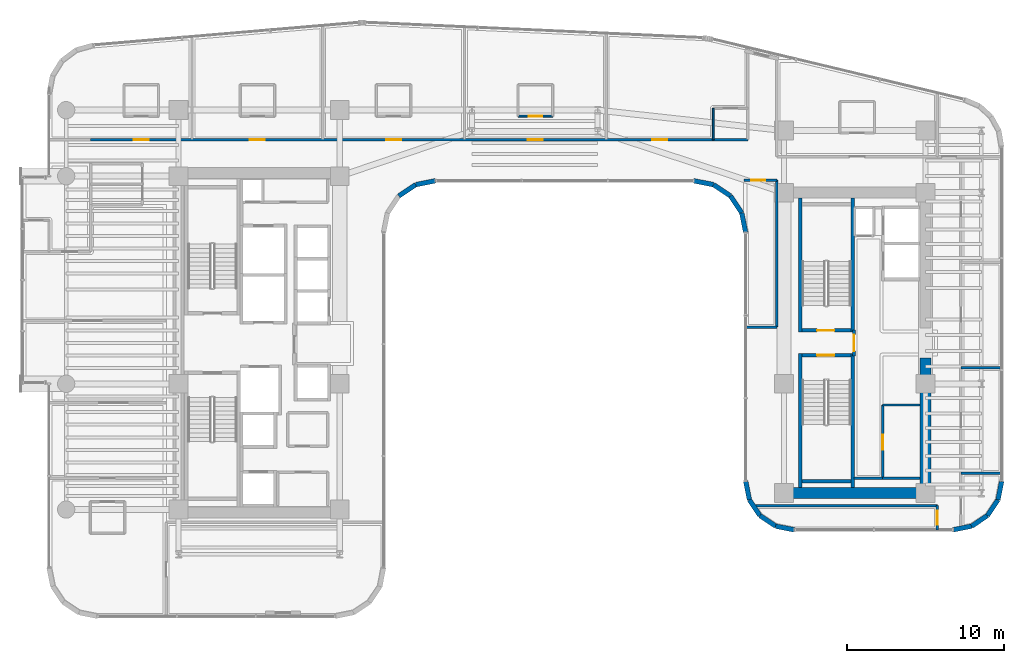
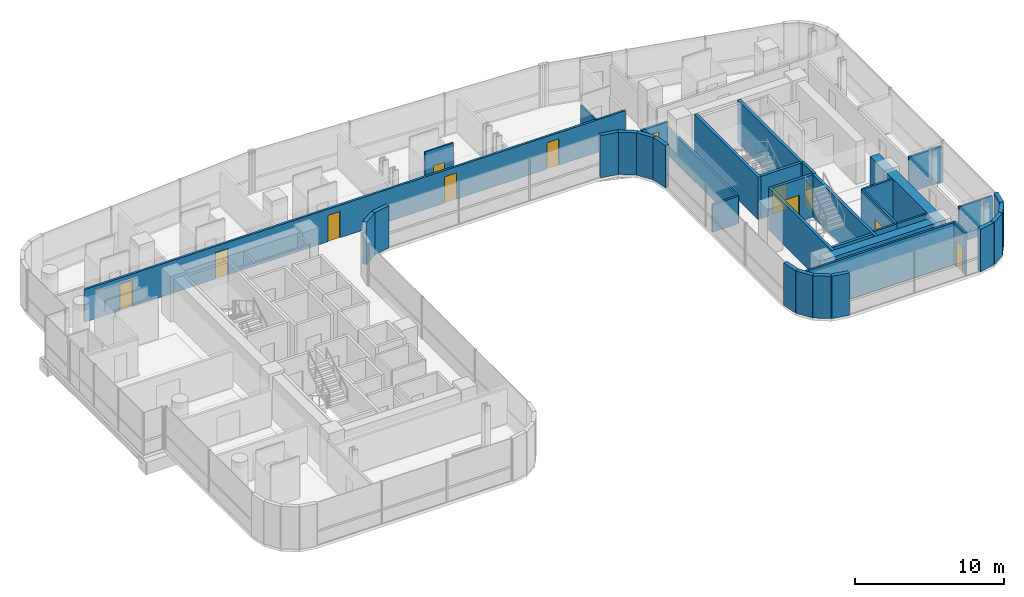
# One storey, part 28 of 35: 38 walls, 12 doors, 12 openings.
"""IFC4 building model written with IfcOpenShell, lengths in metres."""

import ifcopenshell
import ifcopenshell.guid

model = None  # the IFC model being written
_history = None  # IfcOwnerHistory: only IFC2X3 demands one
_inside = {}  # id of a spatial element -> (the spatial element, [elements in it])
_under = {}  # id of a project, library or spatial element -> (it, [spatial elements below it])
_declared = {}  # id of a project -> (the project, [libraries it declares])
_typed = {}  # id of a type object -> (the type object, [elements of that type])
_made_of = {}  # id of a material, layer set ... -> (it, [elements and type objects made of it])


def new_model(schema):
    """Start an empty IFC model of exactly this schema.

    Asked for "IFC4X3", IfcOpenShell would pick the latest addendum, in which some entities
    have other attributes; the version numbers below select the first issue.
    IFC2X3 requires an IfcOwnerHistory on every rooted entity: one is made here for all.
    """
    global model, _history
    if schema == "IFC4X3":
        model = ifcopenshell.file(schema_version=(4, 3, 0, 0))
    else:
        model = ifcopenshell.file(schema=schema)
    _inside.clear()
    _under.clear()
    _declared.clear()
    _typed.clear()
    _made_of.clear()
    _history = None
    if model.schema == "IFC2X3":
        org = make("IfcOrganization", Name="unknown")
        user = make(
            "IfcPersonAndOrganization",
            ThePerson=make("IfcPerson", FamilyName="unknown"),
            TheOrganization=org,
        )
        app = make(
            "IfcApplication",
            ApplicationDeveloper=org,
            Version="unknown",
            ApplicationFullName="unknown",
            ApplicationIdentifier="unknown",
        )
        _history = make(
            "IfcOwnerHistory",
            OwningUser=user,
            OwningApplication=app,
            ChangeAction="ADDED",
            CreationDate=0,
        )
    return model


def make(cls, **values):
    """One entity of the class cls with the attributes given. An attribute that is None is left unset."""
    return model.create_entity(
        cls, **{name: value for name, value in values.items() if value is not None}
    )


def rooted(cls, **values):
    """An entity with a GlobalId (a new one), such as an element, a storey or a relation."""
    return make(cls, GlobalId=ifcopenshell.guid.new(), OwnerHistory=_history, **values)


def si_unit(unit_type, name, prefix=None):
    """IfcSIUnit, for example si_unit("LENGTHUNIT", "METRE", prefix="MILLI")."""
    return make("IfcSIUnit", UnitType=unit_type, Prefix=prefix, Name=name)


def assignment(units):
    """IfcUnitAssignment: the units of a project."""
    return None if units is None else make("IfcUnitAssignment", Units=units)


def point(xyz):
    """IfcCartesianPoint."""
    return None if xyz is None else make("IfcCartesianPoint", Coordinates=xyz)


def direction(xyz):
    """IfcDirection."""
    return None if xyz is None else make("IfcDirection", DirectionRatios=xyz)


def frame(location, z_axis=None, x_axis=None):
    """IfcAxis2Placement3D, a coordinate frame: its origin and axes. An axis left out is left unset."""
    return make(
        "IfcAxis2Placement3D",
        Location=point(location),
        Axis=direction(z_axis),
        RefDirection=direction(x_axis),
    )


def frame_2d(location, x_axis=None):
    """IfcAxis2Placement2D, a coordinate frame in the plane: its origin and x axis."""
    return make(
        "IfcAxis2Placement2D", Location=point(location), RefDirection=direction(x_axis)
    )


def origin():
    """The frame at (0, 0, 0) with its axes left unset."""
    return frame((0.0, 0.0, 0.0))


def place(relative_to, where):
    """IfcLocalPlacement: puts the frame where relative to a parent placement (None: the world)."""
    return make(
        "IfcLocalPlacement", PlacementRelTo=relative_to, RelativePlacement=where
    )


def context(
    kind, dimensions, precision=None, world=None, true_north=None, identifier=None
):
    """IfcGeometricRepresentationContext, for example the 3D "Model" context."""
    return make(
        "IfcGeometricRepresentationContext",
        ContextIdentifier=identifier,
        ContextType=kind,
        CoordinateSpaceDimension=dimensions,
        Precision=precision,
        WorldCoordinateSystem=world,
        TrueNorth=true_north,
    )


def subcontext(parent, identifier, kind, view, scale=None):
    """IfcGeometricRepresentationSubContext, for example "Body" below "Model"."""
    return make(
        "IfcGeometricRepresentationSubContext",
        ContextIdentifier=identifier,
        ContextType=kind,
        ParentContext=parent,
        TargetScale=scale,
        TargetView=view,
    )


def project(units=None, contexts=None):
    """IfcProject with its units and contexts."""
    return rooted(
        "IfcProject",
        Name="project",
        RepresentationContexts=contexts,
        UnitsInContext=assignment(units),
    )


def spatial(cls, under=None, at=None, **own):
    """A site, building, storey or space (cls), placed at a placement, below another one or the project."""
    s = rooted(cls, ObjectPlacement=at, **own)
    if under is not None:
        _under.setdefault(under.id(), (under, []))[1].append(s)
    return s


def profile(cls, at=None, kind="AREA", **sizes):
    """A parametric profile (cls). Its sizes go by their IFC names, for example OverallWidth=200.0."""
    return make(cls, ProfileType=kind, Position=at, **sizes)


def rectangle(**sizes):
    """IfcRectangleProfileDef."""
    return profile("IfcRectangleProfileDef", **sizes)


def extrude(swept, where, along, depth):
    """IfcExtrudedAreaSolid: the profile swept, set in the frame where, extruded along a direction by depth."""
    return make(
        "IfcExtrudedAreaSolid",
        SweptArea=swept,
        Position=where,
        ExtrudedDirection=direction(along),
        Depth=depth,
    )


def shape(context_of_items, identifier, shape_type, items):
    """IfcShapeRepresentation: the items that make up one representation, for example the "Body"."""
    return make(
        "IfcShapeRepresentation",
        ContextOfItems=context_of_items,
        RepresentationIdentifier=identifier,
        RepresentationType=shape_type,
        Items=items,
    )


def material(Name=None, Category=None):
    """IfcMaterial."""
    return make("IfcMaterial", Name=Name, Category=Category)


def layer(
    of_material, thickness, ventilated=None, Name=None, Category=None, Priority=None
):
    """IfcMaterialLayer: one layer of a wall or slab, of a material (None: an air gap)."""
    return make(
        "IfcMaterialLayer",
        Material=of_material,
        LayerThickness=thickness,
        IsVentilated=ventilated,
        Name=Name,
        Category=Category,
        Priority=Priority,
    )


def layer_set(layers, Name=None):
    """IfcMaterialLayerSet."""
    return make("IfcMaterialLayerSet", MaterialLayers=layers, LayerSetName=Name)


def made_of(thing, what):
    """Note that an element or type object is made of a material, layer set ...; save() writes the relation."""
    if what is not None:
        _made_of.setdefault(what.id(), (what, []))[1].append(thing)
    return thing


def type_object(cls, material=None, **own):
    """A type object (cls), such as IfcWallType, which elements share."""
    return made_of(rooted(cls, **own), material)


def element(
    cls,
    number,
    at=None,
    inside=None,
    cuts=None,
    type_object=None,
    material=None,
    context=None,
    identifier="Body",
    shape_type=None,
    held_by="IfcProductDefinitionShape",
    body=None,
    shapes=None,
    **own,
):
    """One element of the class cls, such as IfcWall. Its Tag is "e" and its number.

    at: its placement. inside: the storey or other place that contains it. cuts: it is an
    opening in that element (IfcRelVoidsElement). A single representation is given by context,
    identifier, shape_type and body (its items); several are given by shapes. held_by: the class
    of the entity that holds the representations. save() writes the other relations.
    """
    e = rooted(cls, Tag="e%d" % number, ObjectPlacement=at, **own)
    if body is not None:
        shapes = [shape(context, identifier, shape_type, body)]
    if shapes is not None:
        e.Representation = make(held_by, Representations=shapes)
    if inside is not None:
        _inside.setdefault(inside.id(), (inside, []))[1].append(e)
    if cuts is not None:
        rooted(
            "IfcRelVoidsElement", RelatingBuildingElement=cuts, RelatedOpeningElement=e
        )
    if type_object is not None:
        _typed.setdefault(type_object.id(), (type_object, []))[1].append(e)
    return made_of(e, material)


def fill(opening, filler):
    """IfcRelFillsElement: the door or window that sits in an opening."""
    return rooted(
        "IfcRelFillsElement",
        RelatingOpeningElement=opening,
        RelatedBuildingElement=filler,
    )


def aggregate(whole, parts):
    """IfcRelAggregates: a whole, such as a stair, and the parts it consists of."""
    return rooted("IfcRelAggregates", RelatingObject=whole, RelatedObjects=parts)


def save(model, path):
    """Write the relations noted so far, then the file.

    IfcRelAggregates (storeys below a building ...), IfcRelContainedInSpatialStructure (elements
    in a storey), IfcRelDefinesByType, IfcRelAssociatesMaterial and IfcRelDeclares: one each for
    every whole, place, type object, material and project.
    """
    for whole, parts in _under.values():
        aggregate(whole, parts)
    for where, things in _inside.values():
        rooted(
            "IfcRelContainedInSpatialStructure",
            RelatedElements=things,
            RelatingStructure=where,
        )
    for kind, things in _typed.values():
        rooted("IfcRelDefinesByType", RelatedObjects=things, RelatingType=kind)
    for what, things in _made_of.values():
        rooted("IfcRelAssociatesMaterial", RelatedObjects=things, RelatingMaterial=what)
    for by, libraries in _declared.values():
        rooted("IfcRelDeclares", RelatingContext=by, RelatedDefinitions=libraries)
    model.write(path)


model = new_model("IFC4")

# Units and contexts
model_context = context("Model", 3, precision=1e-05, world=origin(), true_north=direction((0.0, 1.0)))
body_context = subcontext(model_context, "Body", "Model", "MODEL_VIEW")
ifc_project = project(units=[si_unit("LENGTHUNIT", "METRE"), si_unit("AREAUNIT", "SQUARE_METRE"), si_unit("VOLUMEUNIT", "CUBIC_METRE"), si_unit("PLANEANGLEUNIT", "RADIAN"), si_unit("MASSUNIT", "GRAM", prefix="KILO")], contexts=[model_context])

# Site, building, storey
site_placement = place(None, origin())
site = spatial("IfcSite", under=ifc_project, at=site_placement, CompositionType="ELEMENT")
building_placement = place(site_placement, origin())
building = spatial("IfcBuilding", under=site, at=building_placement, Name="Valdorenza Pilgrim Sanctuary Tower", CompositionType="ELEMENT")
storey_placement = place(building_placement, frame((0.0, 0.0, 113.10009765625)))
storey = spatial("IfcBuildingStorey", under=building, at=storey_placement, Name="L28", CompositionType="ELEMENT", Elevation=113.10009765625)

# Wall
ifc_material_1 = material(Name="Acoustic twin-stud gypsum partition", Category="gypsum")
ifc_layer_1 = layer(ifc_material_1, 0.159912109375, Name="Acoustic twin-stud gypsum partition")
ifc_layer_set_1 = layer_set([ifc_layer_1], Name="Acoustic twin-stud gypsum partition")
wall_type_1 = type_object("IfcWallType", Name="WAL-COR-160", PredefinedType="PARTITIONING", material=ifc_layer_set_1)
wall_1_placement = place(storey_placement, frame((20.300048828125, -8.60009765625, 0.0), z_axis=(0.0, 0.0, 1.0), x_axis=(1.0, 0.0, 0.0)))
element("IfcWall", 1, at=wall_1_placement, inside=storey, type_object=wall_type_1, Name="L28 Core B Lift Hall South End Wall", PredefinedType="PARTITIONING", context=body_context, shape_type="SweptSolid", body=[
    extrude(rectangle(XDim=1.820068359375, YDim=0.159912109375, at=frame_2d((0.91015625, 0.0))), origin(), (0.0, 0.0, 1.0), 3.4599609375),
])

# Wall, opening, door
wall_2_placement = place(storey_placement, frame((22.1201171875, -8.60009765625, 0.0), z_axis=(0.0, 0.0, 1.0), x_axis=(0.0, 1.0, 0.0)))
wall_2 = element("IfcWall", 2, at=wall_2_placement, inside=storey, type_object=wall_type_1, Name="L28 Core B Freed Shaft West Wall", PredefinedType="PARTITIONING", context=body_context, shape_type="SweptSolid", body=[
    extrude(rectangle(XDim=4.650146484375, YDim=0.159912109375, at=frame_2d((2.3251953125, 0.0))), origin(), (0.0, 0.0, 1.0), 3.4599609375),
])
opening_1_placement = place(wall_2_placement, frame((1.800048828125, 0.0, 0.0)))
opening_1 = element("IfcOpeningElement", 3, at=opening_1_placement, cuts=wall_2, Name="Opening DR-UN1", PredefinedType="OPENING", context=body_context, shape_type="SweptSolid", body=[
    extrude(rectangle(XDim=0.949951171875, YDim=2.14990234375, at=frame_2d((0.47509765625, 1.074951171875))), frame((0.0, 0.0947265625, 0.0), z_axis=(0.0, -1.0, 0.0), x_axis=(1.0, 0.0, 0.0)), (0.0, 0.0, 1.0), 0.189697265625),
])
ifc_material_2 = material(Name="Solid-core European oak timber", Category="wood")
door_type_1 = type_object("IfcDoorType", Name="DR-UNIT-950", OperationType="NOTDEFINED", PredefinedType="DOOR", material=ifc_material_2)
door_1_placement = place(opening_1_placement, origin())
door_1 = element("IfcDoor", 4, at=door_1_placement, inside=storey, type_object=door_type_1, Name="L28 East Core Linen Store Door", OperationType="SINGLE_SWING_LEFT", OverallHeight=2.14990234375, OverallWidth=0.949951171875, PredefinedType="DOOR", context=body_context, shape_type="SweptSolid", body=[
    extrude(rectangle(XDim=0.949951171875, YDim=2.14990234375, at=frame_2d((0.47509765625, 1.074951171875))), frame((0.0, 0.02490234375, 0.0), z_axis=(0.0, -1.0, 0.0), x_axis=(1.0, 0.0, 0.0)), (0.0, 0.0, 1.0), 0.050048828125),
])
fill(opening_1, door_1)

# Wall, openings, doors
wall_3_placement = place(storey_placement, frame((-28.25, 12.919921875, 0.0), z_axis=(0.0, 0.0, 1.0), x_axis=(1.0, 0.0, 0.0)))
wall_3 = element("IfcWall", 5, at=wall_3_placement, inside=storey, type_object=wall_type_1, Name="L28 North Corridor Wall", PredefinedType="PARTITIONING", context=body_context, shape_type="SweptSolid", body=[
    extrude(rectangle(XDim=41.800048828125, YDim=0.159912109375, at=frame_2d((20.89990234375, 0.0))), origin(), (0.0, 0.0, 1.0), 2.666015625),
])
opening_2_placement = place(wall_3_placement, frame((2.75, 0.0, 0.0)))
opening_2 = element("IfcOpeningElement", 6, at=opening_2_placement, cuts=wall_3, Name="Opening DR-UN1", PredefinedType="OPENING", context=body_context, shape_type="SweptSolid", body=[
    extrude(rectangle(XDim=0.949951171875, YDim=2.14990234375, at=frame_2d((0.47509765625, 1.074951171875))), frame((0.0, 0.0947265625, 0.0), z_axis=(0.0, -1.0, 0.0), x_axis=(1.0, 0.0, 0.0)), (0.0, 0.0, 1.0), 0.189697265625),
])
opening_3_placement = place(wall_3_placement, frame((10.135009765625, 0.0, 0.0)))
opening_3 = element("IfcOpeningElement", 7, at=opening_3_placement, cuts=wall_3, Name="Opening DR-UN1", PredefinedType="OPENING", context=body_context, shape_type="SweptSolid", body=[
    extrude(rectangle(XDim=0.949951171875, YDim=2.14990234375, at=frame_2d((0.47509765625, 1.074951171875))), frame((0.0, 0.0947265625, 0.0), z_axis=(0.0, -1.0, 0.0), x_axis=(1.0, 0.0, 0.0)), (0.0, 0.0, 1.0), 0.189697265625),
])
opening_4_placement = place(wall_3_placement, frame((18.800048828125, 0.0, 0.0)))
opening_4 = element("IfcOpeningElement", 8, at=opening_4_placement, cuts=wall_3, Name="Opening DR-UN1", PredefinedType="OPENING", context=body_context, shape_type="SweptSolid", body=[
    extrude(rectangle(XDim=0.949951171875, YDim=2.14990234375, at=frame_2d((0.47509765625, 1.074951171875))), frame((0.0, 0.0947265625, 0.0), z_axis=(0.0, -1.0, 0.0), x_axis=(1.0, 0.0, 0.0)), (0.0, 0.0, 1.0), 0.189697265625),
])
opening_5_placement = place(wall_3_placement, frame((27.81005859375, 0.0, 0.0)))
opening_5 = element("IfcOpeningElement", 9, at=opening_5_placement, cuts=wall_3, Name="Opening DR-UN1", PredefinedType="OPENING", context=body_context, shape_type="SweptSolid", body=[
    extrude(rectangle(XDim=0.949951171875, YDim=2.14990234375, at=frame_2d((0.47509765625, 1.074951171875))), frame((0.0, 0.0947265625, 0.0), z_axis=(0.0, -1.0, 0.0), x_axis=(1.0, 0.0, 0.0)), (0.0, 0.0, 1.0), 0.189697265625),
])
opening_6_placement = place(wall_3_placement, frame((35.719970703125, 0.0, 0.0)))
opening_6 = element("IfcOpeningElement", 10, at=opening_6_placement, cuts=wall_3, Name="Opening DR-UN1", PredefinedType="OPENING", context=body_context, shape_type="SweptSolid", body=[
    extrude(rectangle(XDim=0.949951171875, YDim=2.14990234375, at=frame_2d((0.47509765625, 1.074951171875))), frame((0.0, 0.0947265625, 0.0), z_axis=(0.0, -1.0, 0.0), x_axis=(1.0, 0.0, 0.0)), (0.0, 0.0, 1.0), 0.189697265625),
])
door_2_placement = place(opening_2_placement, frame((0.949951171875, 0.0, 0.0), z_axis=(0.0, 0.0, 1.0), x_axis=(-1.0, 0.0, 0.0)))
door_2 = element("IfcDoor", 11, at=door_2_placement, inside=storey, type_object=door_type_1, Name="L28 North Guest Room L28-N1 Entrance Door", OperationType="SINGLE_SWING_LEFT", OverallHeight=2.14990234375, OverallWidth=0.949951171875, PredefinedType="DOOR", context=body_context, shape_type="SweptSolid", body=[
    extrude(rectangle(XDim=0.949951171875, YDim=2.14990234375, at=frame_2d((0.47509765625, 1.074951171875))), frame((0.0, 0.02490234375, 0.0), z_axis=(0.0, -1.0, 0.0), x_axis=(1.0, 0.0, 0.0)), (0.0, 0.0, 1.0), 0.050048828125),
])
fill(opening_2, door_2)
door_3_placement = place(opening_3_placement, frame((0.949951171875, 0.0, 0.0), z_axis=(0.0, 0.0, 1.0), x_axis=(-1.0, 0.0, 0.0)))
door_3 = element("IfcDoor", 12, at=door_3_placement, inside=storey, type_object=door_type_1, Name="L28 North Guest Room L28-N2 Entrance Door", OperationType="SINGLE_SWING_LEFT", OverallHeight=2.14990234375, OverallWidth=0.949951171875, PredefinedType="DOOR", context=body_context, shape_type="SweptSolid", body=[
    extrude(rectangle(XDim=0.949951171875, YDim=2.14990234375, at=frame_2d((0.47509765625, 1.074951171875))), frame((0.0, 0.02490234375, 0.0), z_axis=(0.0, -1.0, 0.0), x_axis=(1.0, 0.0, 0.0)), (0.0, 0.0, 1.0), 0.050048828125),
])
fill(opening_3, door_3)
door_4_placement = place(opening_4_placement, frame((0.949951171875, 0.0, 0.0), z_axis=(0.0, 0.0, 1.0), x_axis=(-1.0, 0.0, 0.0)))
door_4 = element("IfcDoor", 13, at=door_4_placement, inside=storey, type_object=door_type_1, Name="L28 North Guest Room L28-N3 Entrance Door", OperationType="SINGLE_SWING_LEFT", OverallHeight=2.14990234375, OverallWidth=0.949951171875, PredefinedType="DOOR", context=body_context, shape_type="SweptSolid", body=[
    extrude(rectangle(XDim=0.949951171875, YDim=2.14990234375, at=frame_2d((0.47509765625, 1.074951171875))), frame((0.0, 0.02490234375, 0.0), z_axis=(0.0, -1.0, 0.0), x_axis=(1.0, 0.0, 0.0)), (0.0, 0.0, 1.0), 0.050048828125),
])
fill(opening_4, door_4)
door_5_placement = place(opening_5_placement, frame((0.949951171875, 0.0, 0.0), z_axis=(0.0, 0.0, 1.0), x_axis=(-1.0, 0.0, 0.0)))
door_5 = element("IfcDoor", 14, at=door_5_placement, inside=storey, type_object=door_type_1, Name="L28 North Guest Room L28-N4 Entrance Door", OperationType="SINGLE_SWING_LEFT", OverallHeight=2.14990234375, OverallWidth=0.949951171875, PredefinedType="DOOR", context=body_context, shape_type="SweptSolid", body=[
    extrude(rectangle(XDim=0.949951171875, YDim=2.14990234375, at=frame_2d((0.47509765625, 1.074951171875))), frame((0.0, 0.02490234375, 0.0), z_axis=(0.0, -1.0, 0.0), x_axis=(1.0, 0.0, 0.0)), (0.0, 0.0, 1.0), 0.050048828125),
])
fill(opening_5, door_5)
door_6_placement = place(opening_6_placement, frame((0.949951171875, 0.0, 0.0), z_axis=(0.0, 0.0, 1.0), x_axis=(-1.0, 0.0, 0.0)))
door_6 = element("IfcDoor", 15, at=door_6_placement, inside=storey, type_object=door_type_1, Name="L28 North Guest Room L28-N5 Entrance Door", OperationType="SINGLE_SWING_LEFT", OverallHeight=2.14990234375, OverallWidth=0.949951171875, PredefinedType="DOOR", context=body_context, shape_type="SweptSolid", body=[
    extrude(rectangle(XDim=0.949951171875, YDim=2.14990234375, at=frame_2d((0.47509765625, 1.074951171875))), frame((0.0, 0.02490234375, 0.0), z_axis=(0.0, -1.0, 0.0), x_axis=(1.0, 0.0, 0.0)), (0.0, 0.0, 1.0), 0.050048828125),
])
fill(opening_6, door_6)

# Wall, opening, door
wall_4_placement = place(storey_placement, frame((25.60009765625, -11.889892578125, 0.0), z_axis=(0.0, 0.0, 1.0), x_axis=(0.0, 1.0, 0.0)))
wall_4 = element("IfcWall", 16, at=wall_4_placement, inside=storey, type_object=wall_type_1, Name="L28 Wing B South-East Wall", PredefinedType="PARTITIONING", context=body_context, shape_type="SweptSolid", body=[
    extrude(rectangle(XDim=1.539794921875, YDim=0.159912109375, at=frame_2d((0.77001953125, 0.0))), origin(), (0.0, 0.0, 1.0), 3.4599609375),
])
opening_7_placement = place(wall_4_placement, frame((0.320068359375, 0.0, 0.0)))
opening_7 = element("IfcOpeningElement", 17, at=opening_7_placement, cuts=wall_4, Name="Opening DR-RM1", PredefinedType="OPENING", context=body_context, shape_type="SweptSolid", body=[
    extrude(rectangle(XDim=0.89990234375, YDim=2.10009765625, at=frame_2d((0.449951171875, 1.050048828125))), frame((0.0, 0.0947265625, 0.0), z_axis=(0.0, -1.0, 0.0), x_axis=(1.0, 0.0, 0.0)), (0.0, 0.0, 1.0), 0.189697265625),
])
door_type_2 = type_object("IfcDoorType", Name="DR-ROOM-900", OperationType="NOTDEFINED", PredefinedType="DOOR", material=ifc_material_2)
door_7_placement = place(opening_7_placement, frame((0.89990234375, 0.0, 0.0), z_axis=(0.0, 0.0, 1.0), x_axis=(-1.0, 0.0, 0.0)))
door_7 = element("IfcDoor", 18, at=door_7_placement, inside=storey, type_object=door_type_2, Name="L28 Sacred Manuscript Archive L28-BS Door", OperationType="SINGLE_SWING_LEFT", OverallHeight=2.10009765625, OverallWidth=0.89990234375, PredefinedType="DOOR", context=body_context, shape_type="SweptSolid", body=[
    extrude(rectangle(XDim=0.89990234375, YDim=2.10009765625, at=frame_2d((0.449951171875, 1.050048828125))), frame((0.0, 0.02490234375, 0.0), z_axis=(0.0, -1.0, 0.0), x_axis=(1.0, 0.0, 0.0)), (0.0, 0.0, 1.0), 0.050048828125),
])
fill(opening_7, door_7)

# Wall
wall_5_placement = place(storey_placement, frame((14.043701171875, -10.35009765625, 0.0), z_axis=(0.0, 0.0, 1.0), x_axis=(1.0, 0.0, 0.0)))
element("IfcWall", 19, at=wall_5_placement, inside=storey, type_object=wall_type_1, Name="L28 Wing B South Closure", PredefinedType="PARTITIONING", context=body_context, shape_type="SweptSolid", body=[
    extrude(rectangle(XDim=11.556396484375, YDim=0.159912109375, at=frame_2d((5.7783203125, 0.0))), origin(), (0.0, 0.0, 1.0), 3.4599609375),
])

# Wall, opening, door
wall_6_placement = place(storey_placement, frame((13.300048828125, 10.35009765625, 0.0), z_axis=(0.0, 0.0, 1.0), x_axis=(1.0, 0.0, 0.0)))
wall_6 = element("IfcWall", 20, at=wall_6_placement, inside=storey, type_object=wall_type_1, Name="L28 Courtyard Overlook North Wall", PredefinedType="PARTITIONING", context=body_context, shape_type="SweptSolid", body=[
    extrude(rectangle(XDim=2.099853515625, YDim=0.159912109375, at=frame_2d((1.0498046875, 0.0))), origin(), (0.0, 0.0, 1.0), 2.666015625),
])
opening_8_placement = place(wall_6_placement, frame((0.449951171875, 0.0, 0.0)))
opening_8 = element("IfcOpeningElement", 21, at=opening_8_placement, cuts=wall_6, Name="Opening DR-RM1", PredefinedType="OPENING", context=body_context, shape_type="SweptSolid", body=[
    extrude(rectangle(XDim=0.89990234375, YDim=2.10009765625, at=frame_2d((0.449951171875, 1.050048828125))), frame((0.0, 0.0947265625, 0.0), z_axis=(0.0, -1.0, 0.0), x_axis=(1.0, 0.0, 0.0)), (0.0, 0.0, 1.0), 0.189697265625),
])
door_8_placement = place(opening_8_placement, origin())
door_8 = element("IfcDoor", 22, at=door_8_placement, inside=storey, type_object=door_type_2, Name="L28 Courtyard Overlook Salon Door", OperationType="SINGLE_SWING_LEFT", OverallHeight=2.10009765625, OverallWidth=0.89990234375, PredefinedType="DOOR", context=body_context, shape_type="SweptSolid", body=[
    extrude(rectangle(XDim=0.89990234375, YDim=2.10009765625, at=frame_2d((0.449951171875, 1.050048828125))), frame((0.0, 0.02490234375, 0.0), z_axis=(0.0, -1.0, 0.0), x_axis=(1.0, 0.0, 0.0)), (0.0, 0.0, 1.0), 0.050048828125),
])
fill(opening_8, door_8)

# Walls
wall_7_placement = place(storey_placement, frame((15.39990234375, 1.0, 0.0), z_axis=(0.0, 0.0, 1.0), x_axis=(0.0, 1.0, 0.0)))
element("IfcWall", 23, at=wall_7_placement, inside=storey, type_object=wall_type_1, Name="L28 Courtyard Overlook East Wall", PredefinedType="PARTITIONING", context=body_context, shape_type="SweptSolid", body=[
    extrude(rectangle(XDim=9.35009765625, YDim=0.159912109375, at=frame_2d((4.675048828125, 0.0))), origin(), (0.0, 0.0, 1.0), 2.244873046875),
])
wall_8_placement = place(storey_placement, frame((13.409912109375, 1.0, 0.0), z_axis=(0.0, 0.0, 1.0), x_axis=(1.0, 0.0, 0.0)))
element("IfcWall", 24, at=wall_8_placement, inside=storey, type_object=wall_type_1, Name="L28 Courtyard Overlook South Wall", PredefinedType="PARTITIONING", context=body_context, shape_type="SweptSolid", body=[
    extrude(rectangle(XDim=1.989990234375, YDim=0.159912109375, at=frame_2d((0.9951171875, 0.0))), origin(), (0.0, 0.0, 1.0), 2.244873046875),
])
ifc_material_3 = material(Name="Concrete C60/75", Category="concrete")
ifc_layer_2 = layer(ifc_material_3, 0.699951171875, Name="Concrete C60/75")
ifc_layer_set_2 = layer_set([ifc_layer_2], Name="Concrete C60/75")
wall_type_2 = type_object("IfcWallType", Name="WAL-COR-700", PredefinedType="SHEAR", material=ifc_layer_set_2)
wall_9_placement = place(storey_placement, frame((24.85009765625, -9.89990234375, 0.0), z_axis=(0.0, 0.0, 1.0), x_axis=(0.0, 1.0, 0.0)))
element("IfcWall", 25, at=wall_9_placement, inside=storey, type_object=wall_type_2, Name="L28 Split Core B Shear Wall ES", PredefinedType="SHEAR", context=body_context, shape_type="SweptSolid", body=[
    extrude(rectangle(XDim=8.949951171875, YDim=0.699951171875, at=frame_2d((4.47509765625, 0.0))), origin(), (0.0, 0.0, 1.0), 3.4599609375),
])
wall_10_placement = place(storey_placement, frame((15.85009765625, -9.550048828125, 0.0), z_axis=(0.0, 0.0, 1.0), x_axis=(1.0, 0.0, 0.0)))
element("IfcWall", 26, at=wall_10_placement, inside=storey, type_object=wall_type_2, Name="L28 Split Core B Shear Wall S", PredefinedType="SHEAR", context=body_context, shape_type="SweptSolid", body=[
    extrude(rectangle(XDim=9.0, YDim=0.699951171875, at=frame_2d((4.5, 0.0))), origin(), (0.0, 0.0, 1.0), 3.4599609375),
])
ifc_material_4 = material(Name="Honed travertine limestone", Category="masonry")
ifc_layer_3 = layer(ifc_material_4, 0.300048828125, Name="Honed travertine limestone")
ifc_layer_set_3 = layer_set([ifc_layer_3], Name="Honed travertine limestone")
wall_type_3 = type_object("IfcWallType", Name="WAL-EXT-300", PredefinedType="SOLIDWALL", material=ifc_layer_set_3)
wall_11_placement = place(storey_placement, frame((29.68994140625, -8.789306640625, 0.0), z_axis=(0.0, 0.0, 1.0), x_axis=(-0.194996050505, -0.980804027463, 0.0)))
element("IfcWall", 27, at=wall_11_placement, inside=storey, type_object=wall_type_3, Name="L28 Rounded Wind-Corner Stone Pier 22", PredefinedType="SOLIDWALL", context=body_context, shape_type="SweptSolid", body=[
    extrude(rectangle(XDim=1.2158203125, YDim=0.300048828125, at=frame_2d((0.60791015625, 0.0))), origin(), (0.0, 0.0, 1.0), 3.4599609375),
])
for number, where, z_axis, x_axis, name in (
    (28, (29.452880859375, -9.981689453125, 0.0), (0.0, 0.0, 1.0), (-0.555635100982, -0.831426265255, 0.0), "L28 Rounded Wind-Corner Stone Pier 23"),
    (29, (28.783447265625, -10.9833984375, 0.0), (0.0, 0.0, 1.0), (-0.831426265255, -0.555635100982, 0.0), "L28 Rounded Wind-Corner Stone Pier 24"),
):
    element("IfcWall", number, at=place(storey_placement, frame(where, z_axis=z_axis, x_axis=x_axis)), inside=storey, type_object=wall_type_3, Name=name, PredefinedType="SOLIDWALL", context=body_context, shape_type="SweptSolid", body=[
        extrude(rectangle(XDim=1.204833984375, YDim=0.300048828125, at=frame_2d((0.6025390625, 0.0))), origin(), (0.0, 0.0, 1.0), 3.4599609375),
    ])
wall_12_placement = place(storey_placement, frame((27.78173828125, -11.65283203125, 0.0), z_axis=(0.0, 0.0, 1.0), x_axis=(-0.980811661072, -0.194957650543, 0.0)))
element("IfcWall", 30, at=wall_12_placement, inside=storey, type_object=wall_type_3, Name="L28 Rounded Wind-Corner Stone Pier 25", PredefinedType="SOLIDWALL", context=body_context, shape_type="SweptSolid", body=[
    extrude(rectangle(XDim=1.216064453125, YDim=0.300048828125, at=frame_2d((0.60791015625, 0.0))), origin(), (0.0, 0.0, 1.0), 3.4599609375),
])
wall_13_placement = place(storey_placement, frame((16.5107421875, -11.889892578125, 0.0), z_axis=(0.0, 0.0, 1.0), x_axis=(-0.980804027463, 0.194996050505, 0.0)))
element("IfcWall", 31, at=wall_13_placement, inside=storey, type_object=wall_type_3, Name="L28 Rounded Wind-Corner Stone Pier 27", PredefinedType="SOLIDWALL", context=body_context, shape_type="SweptSolid", body=[
    extrude(rectangle(XDim=1.2158203125, YDim=0.300048828125, at=frame_2d((0.60791015625, 0.0))), origin(), (0.0, 0.0, 1.0), 3.4599609375),
])
for number, where, z_axis, x_axis, name in (
    (32, (15.318359375, -11.65283203125, 0.0), (0.0, 0.0, 1.0), (-0.831426265255, 0.555635100982, 0.0), "L28 Rounded Wind-Corner Stone Pier 28"),
    (33, (14.316650390625, -10.9833984375, 0.0), (0.0, 0.0, 1.0), (-0.555635100982, 0.831426265255, 0.0), "L28 Rounded Wind-Corner Stone Pier 29"),
):
    element("IfcWall", number, at=place(storey_placement, frame(where, z_axis=z_axis, x_axis=x_axis)), inside=storey, type_object=wall_type_3, Name=name, PredefinedType="SOLIDWALL", context=body_context, shape_type="SweptSolid", body=[
        extrude(rectangle(XDim=1.204833984375, YDim=0.300048828125, at=frame_2d((0.6025390625, 0.0))), origin(), (0.0, 0.0, 1.0), 3.4599609375),
    ])
wall_14_placement = place(storey_placement, frame((13.647216796875, -9.981689453125, 0.0), z_axis=(0.0, 0.0, 1.0), x_axis=(-0.195189223115, 0.980765602568, 0.0)))
element("IfcWall", 34, at=wall_14_placement, inside=storey, type_object=wall_type_3, Name="L28 Rounded Wind-Corner Stone Pier 30", PredefinedType="SOLIDWALL", context=body_context, shape_type="SweptSolid", body=[
    extrude(rectangle(XDim=1.2158203125, YDim=0.300048828125, at=frame_2d((0.60791015625, 0.0))), origin(), (0.0, 0.0, 1.0), 3.4599609375),
])
wall_15_placement = place(storey_placement, frame((13.409912109375, 7.0107421875, 0.0), z_axis=(0.0, 0.0, 1.0), x_axis=(-0.195090163074, 0.980785312019, 0.0)))
element("IfcWall", 35, at=wall_15_placement, inside=storey, type_object=wall_type_3, Name="L28 Rounded Wind-Corner Stone Pier 32", PredefinedType="SOLIDWALL", context=body_context, shape_type="SweptSolid", body=[
    extrude(rectangle(XDim=1.281494140625, YDim=0.300048828125, at=frame_2d((0.640625, 0.0))), origin(), (0.0, 0.0, 1.0), 3.4599609375),
])
for number, where, z_axis, x_axis, name in (
    (36, (13.159912109375, 8.267578125, 0.0), (0.0, 0.0, 1.0), (-0.555615398575, 0.831439431869, 0.0), "L28 Rounded Wind-Corner Stone Pier 33"),
    (37, (12.44189453125, 9.342041015625, 0.0), (0.0, 0.0, 1.0), (-0.831439431869, 0.555615398575, 0.0), "L28 Rounded Wind-Corner Stone Pier 34"),
):
    element("IfcWall", number, at=place(storey_placement, frame(where, z_axis=z_axis, x_axis=x_axis)), inside=storey, type_object=wall_type_3, Name=name, PredefinedType="SOLIDWALL", context=body_context, shape_type="SweptSolid", body=[
        extrude(rectangle(XDim=1.292236328125, YDim=0.300048828125, at=frame_2d((0.64599609375, 0.0))), origin(), (0.0, 0.0, 1.0), 3.4599609375),
    ])
for number, where, z_axis, x_axis, name in (
    (38, (11.367431640625, 10.06005859375, 0.0), (0.0, 0.0, 1.0), (-0.980778058848, 0.195126623715, 0.0), "L28 Rounded Wind-Corner Stone Pier 35"),
    (39, (-6.310791015625, 10.31005859375, 0.0), (0.0, 0.0, 1.0), (-0.980778058848, -0.195126623715, 0.0), "L28 Rounded Wind-Corner Stone Pier 37"),
):
    element("IfcWall", number, at=place(storey_placement, frame(where, z_axis=z_axis, x_axis=x_axis)), inside=storey, type_object=wall_type_3, Name=name, PredefinedType="SOLIDWALL", context=body_context, shape_type="SweptSolid", body=[
        extrude(rectangle(XDim=1.28125, YDim=0.300048828125, at=frame_2d((0.640625, 0.0))), origin(), (0.0, 0.0, 1.0), 3.4599609375),
    ])
wall_16_placement = place(storey_placement, frame((-7.5673828125, 10.06005859375, 0.0), z_axis=(0.0, 0.0, 1.0), x_axis=(-0.831497739511, -0.555528135371, 0.0)))
element("IfcWall", 40, at=wall_16_placement, inside=storey, type_object=wall_type_3, Name="L28 Rounded Wind-Corner Stone Pier 38", PredefinedType="SOLIDWALL", context=body_context, shape_type="SweptSolid", body=[
    extrude(rectangle(XDim=1.29248046875, YDim=0.300048828125, at=frame_2d((0.646240234375, 0.0))), origin(), (0.0, 0.0, 1.0), 3.4599609375),
])

# Wall, opening, door
ifc_material_5 = material(Name="Gypsum shaftwall partition", Category="gypsum")
ifc_layer_4 = layer(ifc_material_5, 0.199951171875, Name="Gypsum shaftwall partition")
ifc_layer_set_4 = layer_set([ifc_layer_4], Name="Gypsum shaftwall partition")
wall_type_4 = type_object("IfcWallType", Name="WAL-FFL-200", PredefinedType="PARTITIONING", material=ifc_layer_set_4)
wall_17_placement = place(storey_placement, frame((20.300048828125, -0.820068359375, 0.0), z_axis=(0.0, 0.0, 1.0), x_axis=(0.0, 1.0, 0.0)))
wall_17 = element("IfcWall", 41, at=wall_17_placement, inside=storey, type_object=wall_type_4, Name="L28 Core B Firefighting Lobby East Wall", PredefinedType="PARTITIONING", context=body_context, shape_type="SweptSolid", body=[
    extrude(rectangle(XDim=1.64013671875, YDim=0.199951171875, at=frame_2d((0.820068359375, 0.0))), origin(), (0.0, 0.0, 1.0), 3.4599609375),
])
opening_9_placement = place(wall_17_placement, frame((0.294921875, 0.0, 0.0)))
opening_9 = element("IfcOpeningElement", 42, at=opening_9_placement, cuts=wall_17, Name="Opening DR-FL1", PredefinedType="OPENING", context=body_context, shape_type="SweptSolid", body=[
    extrude(rectangle(XDim=1.050048828125, YDim=2.14990234375, at=frame_2d((0.52490234375, 1.074951171875))), frame((0.0, 0.11474609375, 0.0), z_axis=(0.0, -1.0, 0.0), x_axis=(1.0, 0.0, 0.0)), (0.0, 0.0, 1.0), 0.229736328125),
])
ifc_material_6 = material(Name="Painted galvanized steel", Category="steel")
door_type_3 = type_object("IfcDoorType", Name="DR-FFL-1050", OperationType="NOTDEFINED", PredefinedType="DOOR", material=ifc_material_6)
door_9_placement = place(opening_9_placement, frame((1.050048828125, 0.0, 0.0), z_axis=(0.0, 0.0, 1.0), x_axis=(-1.0, 0.0, 0.0)))
door_9 = element("IfcDoor", 43, at=door_9_placement, inside=storey, type_object=door_type_3, Name="L28 Core B Firefighting Lobby Door", OperationType="SINGLE_SWING_LEFT", OverallHeight=2.14990234375, OverallWidth=1.050048828125, PredefinedType="DOOR", context=body_context, shape_type="SweptSolid", body=[
    extrude(rectangle(XDim=1.050048828125, YDim=2.14990234375, at=frame_2d((0.52490234375, 1.074951171875))), frame((0.0, 0.02490234375, 0.0), z_axis=(0.0, -1.0, 0.0), x_axis=(1.0, 0.0, 0.0)), (0.0, 0.0, 1.0), 0.050048828125),
])
fill(opening_9, door_9)

ifc_material_7 = material(Name="Moisture-resistant gypsum partition", Category="gypsum")
ifc_layer_5 = layer(ifc_material_7, 0.1201171875, Name="Moisture-resistant gypsum partition")
ifc_layer_set_5 = layer_set([ifc_layer_5], Name="Moisture-resistant gypsum partition")
wall_type_5 = type_object("IfcWallType", Name="WAL-INT-120", PredefinedType="PARTITIONING", material=ifc_layer_set_5)
wall_18_placement = place(storey_placement, frame((-1.06494140625, 14.419921875, 0.0), z_axis=(0.0, 0.0, 1.0), x_axis=(1.0, 0.0, 0.0)))
wall_18 = element("IfcWall", 44, at=wall_18_placement, inside=storey, type_object=wall_type_5, Name="L28 North Guest Room L28-N4 En-suite Door Wall", PredefinedType="PARTITIONING", context=body_context, shape_type="SweptSolid", body=[
    extrude(rectangle(XDim=2.199951171875, YDim=0.1201171875, at=frame_2d((1.10009765625, 0.0))), origin(), (0.0, 0.0, 1.0), 3.4599609375),
])
opening_10_placement = place(wall_18_placement, frame((0.675048828125, 0.0, 0.0)))
opening_10 = element("IfcOpeningElement", 45, at=opening_10_placement, cuts=wall_18, Name="Opening DR-WC1", PredefinedType="OPENING", context=body_context, shape_type="SweptSolid", body=[
    extrude(rectangle(XDim=0.85009765625, YDim=2.10009765625, at=frame_2d((0.425048828125, 1.050048828125))), frame((0.0, 0.074951171875, 0.0), z_axis=(0.0, -1.0, 0.0), x_axis=(1.0, 0.0, 0.0)), (0.0, 0.0, 1.0), 0.14990234375),
])
ifc_material_8 = material(Name="Moisture-resistant lacquered timber", Category="wood")
door_type_4 = type_object("IfcDoorType", Name="DR-BATH-850", OperationType="NOTDEFINED", PredefinedType="DOOR", material=ifc_material_8)
door_10_placement = place(opening_10_placement, origin())
door_10 = element("IfcDoor", 46, at=door_10_placement, inside=storey, type_object=door_type_4, Name="L28 North Guest Room L28-N4 En-suite Bathroom Door", OperationType="SINGLE_SWING_RIGHT", OverallHeight=2.10009765625, OverallWidth=0.85009765625, PredefinedType="DOOR", context=body_context, shape_type="SweptSolid", body=[
    extrude(rectangle(XDim=0.85009765625, YDim=2.10009765625, at=frame_2d((0.425048828125, 1.050048828125))), frame((0.0, 0.02490234375, 0.0), z_axis=(0.0, -1.0, 0.0), x_axis=(1.0, 0.0, 0.0)), (0.0, 0.0, 1.0), 0.050048828125),
])
fill(opening_10, door_10)

# Walls
wall_19_placement = place(storey_placement, frame((11.35009765625, 12.919921875, 0.0), z_axis=(0.0, 0.0, 1.0), x_axis=(0.0, 1.0, 0.0)))
element("IfcWall", 47, at=wall_19_placement, inside=storey, type_object=wall_type_5, Name="L28 North Guest Room L28-N5 En-suite West Wall", PredefinedType="PARTITIONING", context=body_context, shape_type="SweptSolid", body=[
    extrude(rectangle(XDim=2.0, YDim=0.1201171875, at=frame_2d((1.0, 0.0))), origin(), (0.0, 0.0, 1.0), 2.666015625),
])
ifc_material_9 = material(Name="Concrete C40/50", Category="concrete")
ifc_layer_6 = layer(ifc_material_9, 0.219970703125, Name="Concrete C40/50")
ifc_layer_set_6 = layer_set([ifc_layer_6], Name="Concrete C40/50")
wall_type_6 = type_object("IfcWallType", Name="WAL-STR-SHF-220", PredefinedType="SHEAR", material=ifc_layer_set_6)
for number, where, z_axis, x_axis, name in (
    (48, (16.889892578125, 0.679931640625, 0.0), (0.0, 0.0, 1.0), (0.0, 1.0, 0.0), "L28 ST-B1 Structural Stairwell Wall W"),
    (49, (20.219970703125, 0.679931640625, 0.0), (0.0, 0.0, 1.0), (0.0, 1.0, 0.0), "L28 ST-B1 Structural Stairwell Wall E"),
):
    element("IfcWall", number, at=place(storey_placement, frame(where, z_axis=z_axis, x_axis=x_axis)), inside=storey, type_object=wall_type_6, Name=name, PredefinedType="SHEAR", context=body_context, shape_type="SweptSolid", body=[
        extrude(rectangle(XDim=8.52001953125, YDim=0.219970703125, at=frame_2d((4.260009765625, 0.0))), origin(), (0.0, 0.0, 1.0), 3.4599609375),
    ])

# Wall, opening, door
wall_20_placement = place(storey_placement, frame((17.0, 0.7900390625, 0.0), z_axis=(0.0, 0.0, 1.0), x_axis=(1.0, 0.0, 0.0)))
wall_20 = element("IfcWall", 50, at=wall_20_placement, inside=storey, type_object=wall_type_6, Name="L28 ST-B1 Structural Stairwell Wall S", PredefinedType="SHEAR", context=body_context, shape_type="SweptSolid", body=[
    extrude(rectangle(XDim=3.110107421875, YDim=0.219970703125, at=frame_2d((1.55517578125, 0.0))), origin(), (0.0, 0.0, 1.0), 3.4599609375),
])
opening_11_placement = place(wall_20_placement, frame((0.949951171875, 0.0, 0.0)))
opening_11 = element("IfcOpeningElement", 51, at=opening_11_placement, cuts=wall_20, Name="Opening DR-ST1", PredefinedType="OPENING", context=body_context, shape_type="SweptSolid", body=[
    extrude(rectangle(XDim=1.10009765625, YDim=2.14990234375, at=frame_2d((0.550048828125, 1.074951171875))), frame((0.0, 0.125, 0.0), z_axis=(0.0, -1.0, 0.0), x_axis=(1.0, 0.0, 0.0)), (0.0, 0.0, 1.0), 0.249755859375),
])
door_type_5 = type_object("IfcDoorType", Name="DR-STAIR-1100", OperationType="NOTDEFINED", PredefinedType="DOOR", material=ifc_material_6)
door_11_placement = place(opening_11_placement, origin())
door_11 = element("IfcDoor", 52, at=door_11_placement, inside=storey, type_object=door_type_5, Name="L28 Exit Stair ST-B1 Door", OperationType="SINGLE_SWING_RIGHT", OverallHeight=2.14990234375, OverallWidth=1.10009765625, PredefinedType="DOOR", context=body_context, shape_type="SweptSolid", body=[
    extrude(rectangle(XDim=1.10009765625, YDim=2.14990234375, at=frame_2d((0.550048828125, 1.074951171875))), frame((0.0, 0.02490234375, 0.0), z_axis=(0.0, -1.0, 0.0), x_axis=(1.0, 0.0, 0.0)), (0.0, 0.0, 1.0), 0.050048828125),
])
fill(opening_11, door_11)

# Walls
for number, where, z_axis, x_axis, name in (
    (53, (16.889892578125, -9.199951171875, 0.0), (0.0, 0.0, 1.0), (0.0, 1.0, 0.0), "L28 ST-B2 Structural Stairwell Wall W"),
    (54, (20.219970703125, -9.199951171875, 0.0), (0.0, 0.0, 1.0), (0.0, 1.0, 0.0), "L28 ST-B2 Structural Stairwell Wall E"),
):
    element("IfcWall", number, at=place(storey_placement, frame(where, z_axis=z_axis, x_axis=x_axis)), inside=storey, type_object=wall_type_6, Name=name, PredefinedType="SHEAR", context=body_context, shape_type="SweptSolid", body=[
        extrude(rectangle(XDim=8.52001953125, YDim=0.219970703125, at=frame_2d((4.260009765625, 0.0))), origin(), (0.0, 0.0, 1.0), 3.4599609375),
    ])
wall_21_placement = place(storey_placement, frame((17.0, -8.81005859375, 0.0), z_axis=(0.0, 0.0, 1.0), x_axis=(1.0, 0.0, 0.0)))
element("IfcWall", 55, at=wall_21_placement, inside=storey, type_object=wall_type_6, Name="L28 ST-B2 Structural Stairwell Wall S", PredefinedType="SHEAR", context=body_context, shape_type="SweptSolid", body=[
    extrude(rectangle(XDim=3.110107421875, YDim=0.219970703125, at=frame_2d((1.55517578125, 0.0))), origin(), (0.0, 0.0, 1.0), 3.4599609375),
])

# Wall, opening, door
wall_22_placement = place(storey_placement, frame((17.0, -0.7900390625, 0.0), z_axis=(0.0, 0.0, 1.0), x_axis=(1.0, 0.0, 0.0)))
wall_22 = element("IfcWall", 56, at=wall_22_placement, inside=storey, type_object=wall_type_6, Name="L28 ST-B2 Structural Stairwell Wall N", PredefinedType="SHEAR", context=body_context, shape_type="SweptSolid", body=[
    extrude(rectangle(XDim=3.110107421875, YDim=0.219970703125, at=frame_2d((1.55517578125, 0.0))), origin(), (0.0, 0.0, 1.0), 3.4599609375),
])
opening_12_placement = place(wall_22_placement, frame((0.949951171875, 0.0, 0.0)))
opening_12 = element("IfcOpeningElement", 57, at=opening_12_placement, cuts=wall_22, Name="Opening DR-ST1", PredefinedType="OPENING", context=body_context, shape_type="SweptSolid", body=[
    extrude(rectangle(XDim=1.10009765625, YDim=2.14990234375, at=frame_2d((0.550048828125, 1.074951171875))), frame((0.0, 0.125, 0.0), z_axis=(0.0, -1.0, 0.0), x_axis=(1.0, 0.0, 0.0)), (0.0, 0.0, 1.0), 0.249755859375),
])
door_12_placement = place(opening_12_placement, frame((1.10009765625, 0.0, 0.0), z_axis=(0.0, 0.0, 1.0), x_axis=(-1.0, 0.0, 0.0)))
door_12 = element("IfcDoor", 58, at=door_12_placement, inside=storey, type_object=door_type_5, Name="L28 Exit Stair ST-B2 Door", OperationType="SINGLE_SWING_LEFT", OverallHeight=2.14990234375, OverallWidth=1.10009765625, PredefinedType="DOOR", context=body_context, shape_type="SweptSolid", body=[
    extrude(rectangle(XDim=1.10009765625, YDim=2.14990234375, at=frame_2d((0.550048828125, 1.074951171875))), frame((0.0, 0.02490234375, 0.0), z_axis=(0.0, -1.0, 0.0), x_axis=(1.0, 0.0, 0.0)), (0.0, 0.0, 1.0), 0.050048828125),
])
fill(opening_12, door_12)

# Walls
ifc_layer_7 = layer(ifc_material_1, 0.14990234375, Name="Acoustic twin-stud gypsum partition")
ifc_layer_set_7 = layer_set([ifc_layer_7], Name="Acoustic twin-stud gypsum partition")
wall_type_7 = type_object("IfcWallType", Name="WAL-UNT-150", PredefinedType="PARTITIONING", material=ifc_layer_set_7)
for number, where, z_axis, x_axis, name in (
    (59, (22.1201171875, -3.949951171875, 0.0), (0.0, 0.0, 1.0), (1.0, 0.0, 0.0), "L28 Core B Freed Shaft North Wall"),
    (60, (22.1201171875, -8.60009765625, 0.0), (0.0, 0.0, 1.0), (1.0, 0.0, 0.0), "L28 Core B Freed Shaft South Wall"),
):
    element("IfcWall", number, at=place(storey_placement, frame(where, z_axis=z_axis, x_axis=x_axis)), inside=storey, type_object=wall_type_7, Name=name, PredefinedType="PARTITIONING", context=body_context, shape_type="SweptSolid", body=[
        extrude(rectangle(XDim=2.3798828125, YDim=0.14990234375, at=frame_2d((1.18994140625, 0.0))), origin(), (0.0, 0.0, 1.0), 3.4599609375),
    ])
for number, where, z_axis, x_axis, name in (
    (61, (27.10009765625, -8.287109375, 0.0), (0.0, 0.0, 1.0), (1.0, 0.0, 0.0), "L28 East Wing Guest Demising 1"),
    (62, (27.10009765625, -1.574951171875, 0.0), (0.0, 0.0, 1.0), (1.0, 0.0, 0.0), "L28 East Wing Guest Demising 2"),
):
    element("IfcWall", number, at=place(storey_placement, frame(where, z_axis=z_axis, x_axis=x_axis)), inside=storey, type_object=wall_type_7, Name=name, PredefinedType="PARTITIONING", context=body_context, shape_type="SweptSolid", body=[
        extrude(rectangle(XDim=2.58984375, YDim=0.14990234375, at=frame_2d((1.294921875, 0.0))), origin(), (0.0, 0.0, 1.0), 2.89599609375),
    ])

save(model, "model.ifc")
